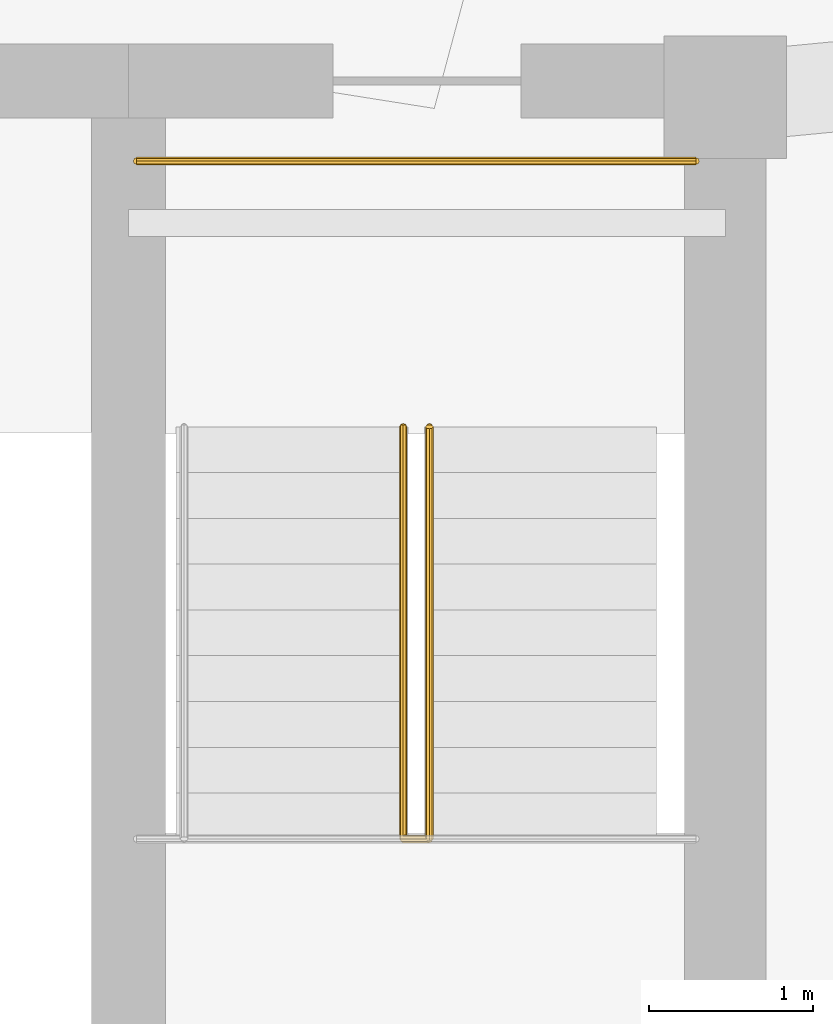
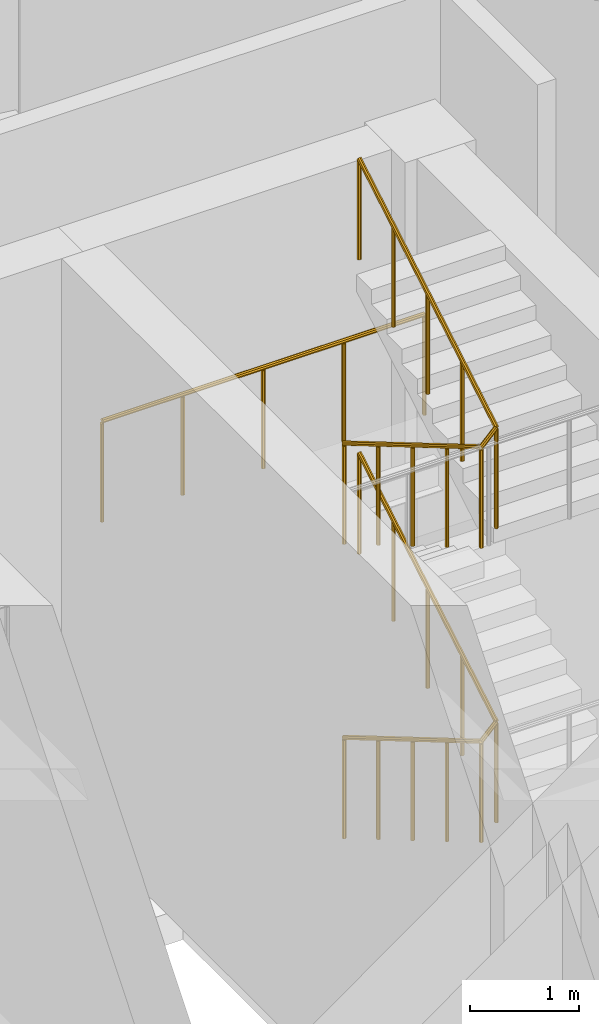
# One storey, part 26 of 26: 3 railings.
"""IFC4 building model written with IfcOpenShell, lengths in metres."""

from ifc_helpers import new_model, si_unit, direction, frame, origin, place, context, subcontext, project, spatial, polyline, outline, extrude, material, type_object, element, save


model = new_model("IFC4")

# Units and contexts
model_context = context("Model", 3, precision=1e-05, world=origin(), true_north=direction((0.0, 1.0)))
body_context = subcontext(model_context, "Body", "Model", "MODEL_VIEW")
ifc_project = project(units=[si_unit("LENGTHUNIT", "METRE"), si_unit("AREAUNIT", "SQUARE_METRE"), si_unit("VOLUMEUNIT", "CUBIC_METRE"), si_unit("PLANEANGLEUNIT", "RADIAN"), si_unit("MASSUNIT", "GRAM", prefix="KILO")], contexts=[model_context])

# Site, building, storey
site_placement = place(None, origin())
site = spatial("IfcSite", under=ifc_project, at=site_placement, CompositionType="ELEMENT")
building_placement = place(site_placement, origin())
building = spatial("IfcBuilding", under=site, at=building_placement, Name="Nuhasar Tower", CompositionType="ELEMENT")
storey_placement = place(building_placement, frame((0.0, 0.0, 306.800048828125)))
storey = spatial("IfcBuildingStorey", under=building, at=storey_placement, Name="L76", CompositionType="ELEMENT", Elevation=306.800048828125)

# Railings
ifc_material = material(Name="Steel S355", Category="steel")
railing_type = type_object("IfcRailingType", Name="RLG-STAIR-GUARD-1150", PredefinedType="GUARDRAIL", material=ifc_material)
railing_1_placement = place(storey_placement, frame((42.330078125, 35.284912109375, 0.1650390625)))
element("IfcRailing", 1, at=railing_1_placement, inside=storey, type_object=railing_type, Name="L76 Stair ST-02 Guardrail SLT1", PredefinedType="GUARDRAIL", context=body_context, shape_type="SweptSolid", body=[
    extrude(outline(polyline([(0.024169921875, 0.0), (0.01708984375, 0.01708984375), (0.0, 0.024169921875), (-0.01708984375, 0.01708984375), (-0.024169921875, 0.0), (-0.01708984375, -0.01708984375), (0.0, -0.024169921875), (0.01708984375, -0.01708984375), (0.024169921875, 0.0)])), frame((0.0, 0.0, 1.1259765625), z_axis=(0.0, -0.861560626758, 0.507654692109), x_axis=(1.0, 0.0, 0.0)), (0.0, 0.0, 1.0), 2.925048828125),
    extrude(outline(polyline([(0.024169921875, 0.0), (0.01708984375, 0.01708984375), (0.0, 0.024169921875), (-0.01708984375, 0.01708984375), (-0.024169921875, 0.0), (-0.01708984375, -0.01708984375), (0.0, -0.024169921875), (0.01708984375, -0.01708984375), (0.024169921875, 0.0)])), frame((0.0, -2.52001953125, 2.61083984375), z_axis=(0.695863719252, 0.0, 0.718173853763), x_axis=(0.0, 1.0, 0.0)), (0.0, 0.0, 1.0), 0.229736328125),
    extrude(outline(polyline([(0.024169921875, 0.0), (0.01708984375, 0.01708984375), (0.0, 0.024169921875), (-0.01708984375, 0.01708984375), (-0.024169921875, 0.0), (-0.01708984375, -0.01708984375), (0.0, -0.024169921875), (0.01708984375, -0.01708984375), (0.024169921875, 0.0)])), frame((0.159912109375, -2.52001953125, 2.77587890625), z_axis=(0.0, 0.86152411907, 0.507716645641), x_axis=(-1.0, 0.0, 0.0)), (0.0, 0.0, 1.0), 2.925048828125),
    extrude(outline(polyline([(0.02099609375, 0.0), (0.014892578125, 0.014892578125), (0.0, 0.02099609375), (-0.014892578125, 0.014892578125), (-0.02099609375, 0.0), (-0.014892578125, -0.014892578125), (0.0, -0.02099609375), (0.014892578125, -0.014892578125), (0.02099609375, 0.0)])), origin(), (0.0, 0.0, 1.0), 1.101806640625),
    extrude(outline(polyline([(0.02099609375, 0.0), (0.014892578125, 0.014892578125), (0.0, 0.02099609375), (-0.014892578125, 0.014892578125), (-0.02099609375, 0.0), (-0.014892578125, -0.014892578125), (0.0, -0.02099609375), (0.014892578125, -0.014892578125), (0.02099609375, 0.0)])), frame((0.0, -0.6298828125, 0.37109375)), (0.0, 0.0, 1.0), 1.101806640625),
    extrude(outline(polyline([(0.02099609375, 0.0), (0.014892578125, 0.014892578125), (0.0, 0.02099609375), (-0.014892578125, 0.014892578125), (-0.02099609375, 0.0), (-0.014892578125, -0.014892578125), (0.0, -0.02099609375), (0.014892578125, -0.014892578125), (0.02099609375, 0.0)])), frame((0.0, -1.260009765625, 0.742431640625)), (0.0, 0.0, 1.0), 1.101806640625),
    extrude(outline(polyline([(0.02099609375, 0.0), (0.014892578125, 0.014892578125), (0.0, 0.02099609375), (-0.014892578125, 0.014892578125), (-0.02099609375, 0.0), (-0.014892578125, -0.014892578125), (0.0, -0.02099609375), (0.014892578125, -0.014892578125), (0.02099609375, 0.0)])), frame((0.0, -1.89013671875, 1.11376953125)), (0.0, 0.0, 1.0), 1.101806640625),
    extrude(outline(polyline([(0.02099609375, 0.0), (0.014892578125, 0.014892578125), (0.0, 0.02099609375), (-0.014892578125, 0.014892578125), (-0.02099609375, 0.0), (-0.014892578125, -0.014892578125), (0.0, -0.02099609375), (0.014892578125, -0.014892578125), (0.02099609375, 0.0)])), frame((0.0, -2.52001953125, 1.48486328125)), (0.0, 0.0, 1.0), 1.101806640625),
    extrude(outline(polyline([(0.02099609375, 0.0), (0.014892578125, 0.014892578125), (0.0, 0.02099609375), (-0.014892578125, 0.014892578125), (-0.02099609375, 0.0), (-0.014892578125, -0.014892578125), (0.0, -0.02099609375), (0.014892578125, -0.014892578125), (0.02099609375, 0.0)])), frame((0.159912109375, -2.52001953125, 1.64990234375)), (0.0, 0.0, 1.0), 1.101806640625),
    extrude(outline(polyline([(0.02099609375, 0.0), (0.014892578125, 0.014892578125), (0.0, 0.02099609375), (-0.014892578125, 0.014892578125), (-0.02099609375, 0.0), (-0.014892578125, -0.014892578125), (0.0, -0.02099609375), (0.014892578125, -0.014892578125), (0.02099609375, 0.0)])), frame((0.159912109375, -1.89013671875, 2.021240234375)), (0.0, 0.0, 1.0), 1.101806640625),
    extrude(outline(polyline([(0.02099609375, 0.0), (0.014892578125, 0.014892578125), (0.0, 0.02099609375), (-0.014892578125, 0.014892578125), (-0.02099609375, 0.0), (-0.014892578125, -0.014892578125), (0.0, -0.02099609375), (0.014892578125, -0.014892578125), (0.02099609375, 0.0)])), frame((0.159912109375, -1.260009765625, 2.392578125)), (0.0, 0.0, 1.0), 1.101806640625),
    extrude(outline(polyline([(0.02099609375, 0.0), (0.014892578125, 0.014892578125), (0.0, 0.02099609375), (-0.014892578125, 0.014892578125), (-0.02099609375, 0.0), (-0.014892578125, -0.014892578125), (0.0, -0.02099609375), (0.014892578125, -0.014892578125), (0.02099609375, 0.0)])), frame((0.159912109375, -0.6298828125, 2.763671875)), (0.0, 0.0, 1.0), 1.101806640625),
    extrude(outline(polyline([(0.02099609375, 0.0), (0.014892578125, 0.014892578125), (0.0, 0.02099609375), (-0.014892578125, 0.014892578125), (-0.02099609375, 0.0), (-0.014892578125, -0.014892578125), (0.0, -0.02099609375), (0.014892578125, -0.014892578125), (0.02099609375, 0.0)])), frame((0.159912109375, 0.0, 3.135009765625)), (0.0, 0.0, 1.0), 1.101806640625),
])
railing_2_placement = place(storey_placement, frame((40.699951171875, 36.909912109375, 3.300048828125)))
element("IfcRailing", 2, at=railing_2_placement, inside=storey, type_object=railing_type, Name="L76 Stair ST-02 Guardrail LNDN1", PredefinedType="GUARDRAIL", context=body_context, shape_type="SweptSolid", body=[
    extrude(outline(polyline([(0.024169921875, 0.0), (0.01708984375, 0.01708984375), (0.0, 0.024169921875), (-0.01708984375, 0.01708984375), (-0.024169921875, 0.0), (-0.01708984375, -0.01708984375), (0.0, -0.024169921875), (0.01708984375, -0.01708984375), (0.024169921875, 0.0)])), frame((0.0, 0.0, 1.1259765625), z_axis=(1.0, 0.0, 0.0), x_axis=(0.0, 1.0, 0.0)), (0.0, 0.0, 1.0), 3.420166015625),
    extrude(outline(polyline([(0.02099609375, 0.0), (0.014892578125, 0.014892578125), (0.0, 0.02099609375), (-0.014892578125, 0.014892578125), (-0.02099609375, 0.0), (-0.014892578125, -0.014892578125), (0.0, -0.02099609375), (0.014892578125, -0.014892578125), (0.02099609375, 0.0)])), origin(), (0.0, 0.0, 1.0), 1.101806640625),
    extrude(outline(polyline([(0.02099609375, 0.0), (0.014892578125, 0.014892578125), (0.0, 0.02099609375), (-0.014892578125, 0.014892578125), (-0.02099609375, 0.0), (-0.014892578125, -0.014892578125), (0.0, -0.02099609375), (0.014892578125, -0.014892578125), (0.02099609375, 0.0)])), frame((0.85498046875, 0.0, 0.0)), (0.0, 0.0, 1.0), 1.101806640625),
    extrude(outline(polyline([(0.02099609375, 0.0), (0.014892578125, 0.014892578125), (0.0, 0.02099609375), (-0.014892578125, 0.014892578125), (-0.02099609375, 0.0), (-0.014892578125, -0.014892578125), (0.0, -0.02099609375), (0.014892578125, -0.014892578125), (0.02099609375, 0.0)])), frame((1.7099609375, 0.0, 0.0)), (0.0, 0.0, 1.0), 1.101806640625),
    extrude(outline(polyline([(0.02099609375, 0.0), (0.014892578125, 0.014892578125), (0.0, 0.02099609375), (-0.014892578125, 0.014892578125), (-0.02099609375, 0.0), (-0.014892578125, -0.014892578125), (0.0, -0.02099609375), (0.014892578125, -0.014892578125), (0.02099609375, 0.0)])), frame((2.565185546875, 0.0, 0.0)), (0.0, 0.0, 1.0), 1.101806640625),
    extrude(outline(polyline([(0.02099609375, 0.0), (0.014892578125, 0.014892578125), (0.0, 0.02099609375), (-0.014892578125, 0.014892578125), (-0.02099609375, 0.0), (-0.014892578125, -0.014892578125), (0.0, -0.02099609375), (0.014892578125, -0.014892578125), (0.02099609375, 0.0)])), frame((3.420166015625, 0.0, 0.0)), (0.0, 0.0, 1.0), 1.101806640625),
])
railing_3_placement = place(storey_placement, frame((42.330078125, 35.284912109375, 3.46484375)))
element("IfcRailing", 3, at=railing_3_placement, inside=storey, type_object=railing_type, Name="L76 Stair ST-02 Guardrail SLT2", PredefinedType="GUARDRAIL", context=body_context, shape_type="SweptSolid", body=[
    extrude(outline(polyline([(0.024169921875, 0.0), (0.01708984375, 0.01708984375), (0.0, 0.024169921875), (-0.01708984375, 0.01708984375), (-0.024169921875, 0.0), (-0.01708984375, -0.01708984375), (0.0, -0.024169921875), (0.01708984375, -0.01708984375), (0.024169921875, 0.0)])), frame((0.0, 0.0, 1.1259765625), z_axis=(0.0, -0.86152411907, 0.507716645641), x_axis=(1.0, 0.0, 0.0)), (0.0, 0.0, 1.0), 2.925048828125),
    extrude(outline(polyline([(0.024169921875, 0.0), (0.01708984375, 0.01708984375), (0.0, 0.024169921875), (-0.01708984375, 0.01708984375), (-0.024169921875, 0.0), (-0.01708984375, -0.01708984375), (0.0, -0.024169921875), (0.01708984375, -0.01708984375), (0.024169921875, 0.0)])), frame((0.0, -2.52001953125, 2.61083984375), z_axis=(0.695863719252, 0.0, 0.718173853763), x_axis=(0.0, 1.0, 0.0)), (0.0, 0.0, 1.0), 0.229736328125),
    extrude(outline(polyline([(0.024169921875, 0.0), (0.01708984375, 0.01708984375), (0.0, 0.024169921875), (-0.01708984375, 0.01708984375), (-0.024169921875, 0.0), (-0.01708984375, -0.01708984375), (0.0, -0.024169921875), (0.01708984375, -0.01708984375), (0.024169921875, 0.0)])), frame((0.159912109375, -2.52001953125, 2.77587890625), z_axis=(0.0, 0.861560626758, 0.507654692109), x_axis=(-1.0, 0.0, 0.0)), (0.0, 0.0, 1.0), 2.925048828125),
    extrude(outline(polyline([(0.02099609375, 0.0), (0.014892578125, 0.014892578125), (0.0, 0.02099609375), (-0.014892578125, 0.014892578125), (-0.02099609375, 0.0), (-0.014892578125, -0.014892578125), (0.0, -0.02099609375), (0.014892578125, -0.014892578125), (0.02099609375, 0.0)])), origin(), (0.0, 0.0, 1.0), 1.101806640625),
    extrude(outline(polyline([(0.02099609375, 0.0), (0.014892578125, 0.014892578125), (0.0, 0.02099609375), (-0.014892578125, 0.014892578125), (-0.02099609375, 0.0), (-0.014892578125, -0.014892578125), (0.0, -0.02099609375), (0.014892578125, -0.014892578125), (0.02099609375, 0.0)])), frame((0.0, -0.6298828125, 0.371337890625)), (0.0, 0.0, 1.0), 1.101806640625),
    extrude(outline(polyline([(0.02099609375, 0.0), (0.014892578125, 0.014892578125), (0.0, 0.02099609375), (-0.014892578125, 0.014892578125), (-0.02099609375, 0.0), (-0.014892578125, -0.014892578125), (0.0, -0.02099609375), (0.014892578125, -0.014892578125), (0.02099609375, 0.0)])), frame((0.0, -1.260009765625, 0.74267578125)), (0.0, 0.0, 1.0), 1.101806640625),
    extrude(outline(polyline([(0.02099609375, 0.0), (0.014892578125, 0.014892578125), (0.0, 0.02099609375), (-0.014892578125, 0.014892578125), (-0.02099609375, 0.0), (-0.014892578125, -0.014892578125), (0.0, -0.02099609375), (0.014892578125, -0.014892578125), (0.02099609375, 0.0)])), frame((0.0, -1.89013671875, 1.11376953125)), (0.0, 0.0, 1.0), 1.101806640625),
    extrude(outline(polyline([(0.02099609375, 0.0), (0.014892578125, 0.014892578125), (0.0, 0.02099609375), (-0.014892578125, 0.014892578125), (-0.02099609375, 0.0), (-0.014892578125, -0.014892578125), (0.0, -0.02099609375), (0.014892578125, -0.014892578125), (0.02099609375, 0.0)])), frame((0.0, -2.52001953125, 1.485107421875)), (0.0, 0.0, 1.0), 1.101806640625),
    extrude(outline(polyline([(0.02099609375, 0.0), (0.014892578125, 0.014892578125), (0.0, 0.02099609375), (-0.014892578125, 0.014892578125), (-0.02099609375, 0.0), (-0.014892578125, -0.014892578125), (0.0, -0.02099609375), (0.014892578125, -0.014892578125), (0.02099609375, 0.0)])), frame((0.159912109375, -2.52001953125, 1.650146484375)), (0.0, 0.0, 1.0), 1.101806640625),
    extrude(outline(polyline([(0.02099609375, 0.0), (0.014892578125, 0.014892578125), (0.0, 0.02099609375), (-0.014892578125, 0.014892578125), (-0.02099609375, 0.0), (-0.014892578125, -0.014892578125), (0.0, -0.02099609375), (0.014892578125, -0.014892578125), (0.02099609375, 0.0)])), frame((0.159912109375, -1.89013671875, 2.021484375)), (0.0, 0.0, 1.0), 1.101806640625),
    extrude(outline(polyline([(0.02099609375, 0.0), (0.014892578125, 0.014892578125), (0.0, 0.02099609375), (-0.014892578125, 0.014892578125), (-0.02099609375, 0.0), (-0.014892578125, -0.014892578125), (0.0, -0.02099609375), (0.014892578125, -0.014892578125), (0.02099609375, 0.0)])), frame((0.159912109375, -1.260009765625, 2.392578125)), (0.0, 0.0, 1.0), 1.101806640625),
    extrude(outline(polyline([(0.02099609375, 0.0), (0.014892578125, 0.014892578125), (0.0, 0.02099609375), (-0.014892578125, 0.014892578125), (-0.02099609375, 0.0), (-0.014892578125, -0.014892578125), (0.0, -0.02099609375), (0.014892578125, -0.014892578125), (0.02099609375, 0.0)])), frame((0.159912109375, -0.6298828125, 2.763671875)), (0.0, 0.0, 1.0), 1.101806640625),
    extrude(outline(polyline([(0.02099609375, 0.0), (0.014892578125, 0.014892578125), (0.0, 0.02099609375), (-0.014892578125, 0.014892578125), (-0.02099609375, 0.0), (-0.014892578125, -0.014892578125), (0.0, -0.02099609375), (0.014892578125, -0.014892578125), (0.02099609375, 0.0)])), frame((0.159912109375, 0.0, 3.135009765625)), (0.0, 0.0, 1.0), 1.101806640625),
])

save(model, "model.ifc")
